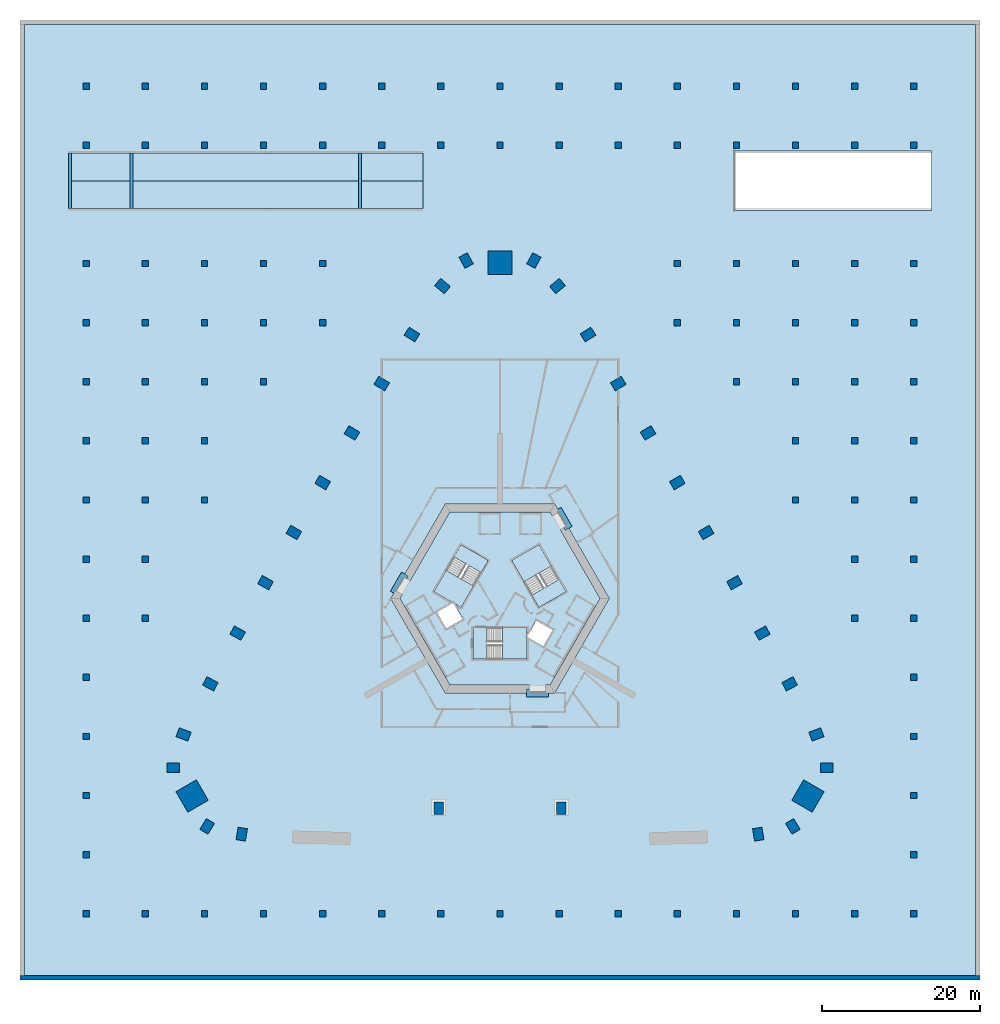
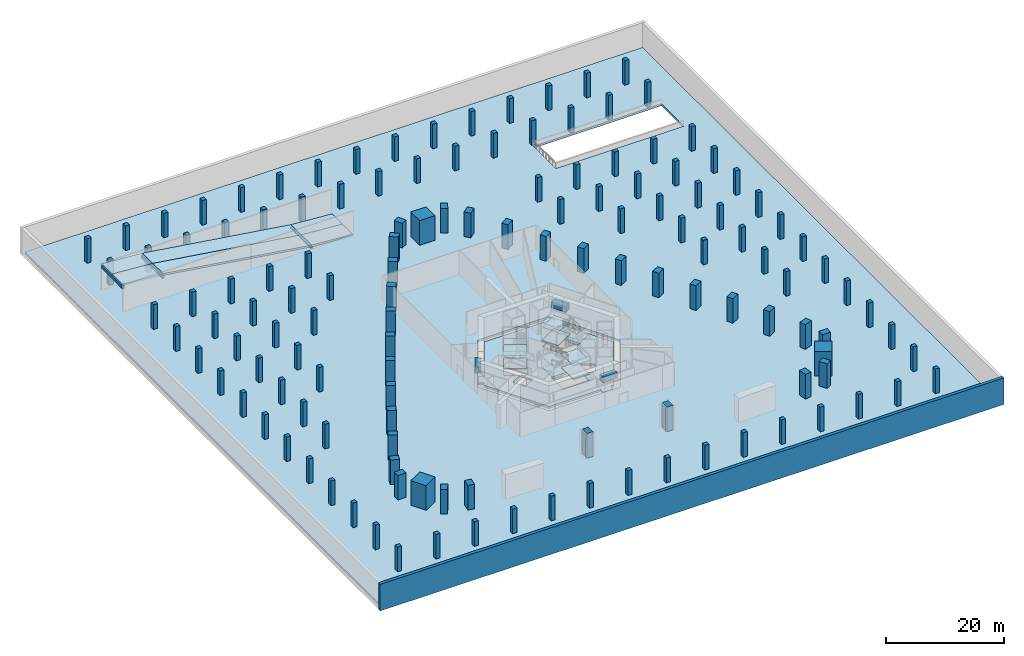
# One storey, part 1 of 12: 134 columns, 17 slabs, 6 beams, 1 wall, 3 elements without a shape of their own.
"""IFC4 building model written with IfcOpenShell, lengths in metres."""

from ifc_helpers import new_model, si_unit, direction, frame, origin, origin_2d, place, context, subcontext, project, spatial, polyline, rectangle, outline, extrude, material, layer, layer_set, material_profile, profile_set, type_object, element, aggregate, save


model = new_model("IFC4")

# Units and contexts
model_context = context("Model", 3, precision=1e-05, world=origin(), true_north=direction((0.0, 1.0)))
body_context = subcontext(model_context, "Body", "Model", "MODEL_VIEW")
ifc_project = project(units=[si_unit("LENGTHUNIT", "METRE"), si_unit("AREAUNIT", "SQUARE_METRE"), si_unit("VOLUMEUNIT", "CUBIC_METRE"), si_unit("PLANEANGLEUNIT", "RADIAN"), si_unit("MASSUNIT", "GRAM", prefix="KILO")], contexts=[model_context])

# Site, building, storey
site_placement = place(None, origin())
site = spatial("IfcSite", under=ifc_project, at=site_placement, CompositionType="ELEMENT")
building_placement = place(site_placement, origin())
building = spatial("IfcBuilding", under=site, at=building_placement, Name="Entoto Arch Interchange Tower", CompositionType="ELEMENT")
storey_placement = place(building_placement, frame((0.0, 0.0, -11.0)))
storey = spatial("IfcBuildingStorey", under=building, at=storey_placement, Name="B2", CompositionType="ELEMENT", Elevation=-11.0)

# Columns
ifc_material_1 = material(Name="Concrete C60/75", Category="concrete")
ifc_material_profile_1 = material_profile(ifc_material_1, rectangle(XDim=1.199951171875, YDim=1.60009765625, at=origin_2d()))
ifc_profile_set_1 = profile_set([ifc_material_profile_1], Name="Concrete C60/75")
column_type_1 = type_object("IfcColumnType", Name="Column RC 1200x1600 C60/75", PredefinedType="COLUMN", material=ifc_profile_set_1)
for number, where, z_axis, x_axis, name in (
    (1, (-32.760986328125, -27.39697265625, -0.419921875), (0.0, 0.0, 1.0), (-0.98600476771, 0.166717119856, 0.0), "Column S01 B2"),
    (2, (32.760986328125, -27.39697265625, -0.419921875), (0.0, 0.0, 1.0), (0.98600476771, 0.166717119856, 0.0), "Column S06 B2"),
    (3, (37.152099609375, -26.410888671875, -0.419921875), (0.0, 0.0, 1.0), (0.854522294989, 0.519414716163, 0.0), "Column SE1 B2"),
    (4, (41.447998046875, -18.968994140625, -0.419921875), (0.0, 0.0, 1.0), (0.022565191802, 0.999745373642, 0.0), "Column SE3 B2"),
    (5, (40.14697265625, -14.7509765625, -0.419921875), (0.0, 0.0, 1.0), (-0.348277574304, 0.937391450375, 0.0), "Column NE01 B2"),
    (6, (36.7529296875, -8.324951171875, -0.419921875), (0.0, 0.0, 1.0), (-0.46931745221, 0.883029517656, 0.0), "Column NE02 B2"),
    (7, (33.282958984375, -1.888916015625, -0.419921875), (0.0, 0.0, 1.0), (-0.478140110514, 0.878283573066, 0.0), "Column NE03 B2"),
    (8, (29.75, 4.511962890625, -0.419921875), (0.0, 0.0, 1.0), (-0.486914781103, 0.873449481048, 0.0), "Column NE04 B2"),
    (9, (26.155029296875, 10.8798828125, -0.419921875), (0.0, 0.0, 1.0), (-0.495655741916, 0.868519076074, 0.0), "Column NE05 B2"),
    (10, (22.5, 17.2109375, -0.419921875), (0.0, 0.0, 1.0), (-0.504331712594, 0.863510002068, 0.0), "Column NE06 B2"),
    (11, (18.781982421875, 23.508056640625, -0.419921875), (0.0, 0.0, 1.0), (-0.512972048958, 0.858405310438, 0.0), "Column NE07 B2"),
    (12, (15.0048828125, 29.76904296875, -0.419921875), (0.0, 0.0, 1.0), (-0.521545830745, 0.853223268806, 0.0), "Column NE08 B2"),
    (13, (11.1669921875, 35.992919921875, -0.419921875), (0.0, 0.0, 1.0), (-0.530067268476, 0.847955594881, 0.0), "Column NE09 B2"),
    (14, (7.299072265625, 42.14404296875, -0.419921875), (0.0, 0.0, 1.0), (-0.637666022163, 0.770312952103, 0.0), "Column NE10 B2"),
    (15, (4.297119140625, 45.3798828125, -0.419921875), (0.0, 0.0, 1.0), (-0.877079103306, 0.48034596547, 0.0), "Column N1 B2"),
    (16, (-4.297119140625, 45.3798828125, -0.419921875), (0.0, 0.0, 1.0), (0.877079103306, 0.48034596547, 0.0), "Column N3 B2"),
    (17, (-7.299072265625, 42.14404296875, -0.419921875), (0.0, 0.0, 1.0), (0.637666022163, 0.770312952103, 0.0), "Column NW01 B2"),
    (18, (-11.1669921875, 35.992919921875, -0.419921875), (0.0, 0.0, 1.0), (0.530067268476, 0.847955594881, 0.0), "Column NW02 B2"),
    (19, (-15.0048828125, 29.76904296875, -0.419921875), (0.0, 0.0, 1.0), (0.521545830745, 0.853223268806, 0.0), "Column NW03 B2"),
    (20, (-18.781982421875, 23.508056640625, -0.419921875), (0.0, 0.0, 1.0), (0.512972048958, 0.858405310438, 0.0), "Column NW04 B2"),
    (21, (-22.5, 17.2109375, -0.419921875), (0.0, 0.0, 1.0), (0.504331712594, 0.863510002068, 0.0), "Column NW05 B2"),
    (22, (-26.155029296875, 10.8798828125, -0.419921875), (0.0, 0.0, 1.0), (0.495655741916, 0.868519076074, 0.0), "Column NW06 B2"),
    (23, (-29.75, 4.511962890625, -0.419921875), (0.0, 0.0, 1.0), (0.486914781103, 0.873449481048, 0.0), "Column NW07 B2"),
    (24, (-33.282958984375, -1.888916015625, -0.419921875), (0.0, 0.0, 1.0), (0.478140110514, 0.878283573066, 0.0), "Column NW08 B2"),
    (25, (-36.7529296875, -8.324951171875, -0.419921875), (0.0, 0.0, 1.0), (0.46931745221, 0.883029517656, 0.0), "Column NW09 B2"),
    (26, (-40.14697265625, -14.7509765625, -0.419921875), (0.0, 0.0, 1.0), (0.348277574304, 0.937391450375, 0.0), "Column NW10 B2"),
    (27, (-41.447998046875, -18.968994140625, -0.419921875), (0.0, 0.0, 1.0), (-0.022565191802, 0.999745373642, 0.0), "Column SW1 B2"),
    (28, (-37.152099609375, -26.410888671875, -0.419921875), (0.0, 0.0, 1.0), (-0.854522294989, 0.519414716163, 0.0), "Column SW3 B2"),
    (29, (-7.800048828125, -24.10009765625, -0.419921875), (0.0, 0.0, 1.0), (1.0, 0.0, 0.0), "Column ARC-W B2"),
    (30, (7.800048828125, -24.10009765625, -0.419921875), (0.0, 0.0, 1.0), (1.0, 0.0, 0.0), "Column ARC-E B2"),
):
    element("IfcColumn", number, at=place(storey_placement, frame(where, z_axis=z_axis, x_axis=x_axis)), inside=storey, type_object=column_type_1, Name=name, PredefinedType="COLUMN", context=body_context, shape_type="SweptSolid", body=[
        extrude(rectangle(XDim=1.199951171875, YDim=1.60009765625, at=origin_2d()), origin(), (0.0, 0.0, 1.0), 5.5),
    ])
ifc_material_2 = material(Name="Concrete C40/50", Category="concrete")
ifc_material_profile_2 = material_profile(ifc_material_2, rectangle(XDim=0.800048828125, YDim=0.800048828125, at=origin_2d()))
ifc_profile_set_2 = profile_set([ifc_material_profile_2], Name="Concrete C40/50")
column_type_2 = type_object("IfcColumnType", Name="Column RC 800x800 C40/50", PredefinedType="COLUMN", material=ifc_profile_set_2)
for number, where, z_axis, x_axis, name in (
    (31, (-52.5, -37.5, -0.419921875), (0.0, 0.0, 1.0), (1.0, 0.0, 0.0), "Grid column -52.5 -37.5 B2"),
    (32, (-52.5, -30.0, -0.419921875), (0.0, 0.0, 1.0), (1.0, 0.0, 0.0), "Grid column -52.5 -30.0 B2"),
    (33, (-52.5, -22.5, -0.419921875), (0.0, 0.0, 1.0), (1.0, 0.0, 0.0), "Grid column -52.5 -22.5 B2"),
    (34, (-52.5, -15.0, -0.419921875), (0.0, 0.0, 1.0), (1.0, 0.0, 0.0), "Grid column -52.5 -15.0 B2"),
    (35, (-52.5, -7.5, -0.419921875), (0.0, 0.0, 1.0), (1.0, 0.0, 0.0), "Grid column -52.5 -7.5 B2"),
    (36, (-52.5, 0.0, -0.419921875), (0.0, 0.0, 1.0), (1.0, 0.0, 0.0), "Grid column -52.5 +0.0 B2"),
    (37, (-52.5, 7.5, -0.419921875), (0.0, 0.0, 1.0), (1.0, 0.0, 0.0), "Grid column -52.5 +7.5 B2"),
    (38, (-52.5, 15.0, -0.419921875), (0.0, 0.0, 1.0), (1.0, 0.0, 0.0), "Grid column -52.5 +15.0 B2"),
    (39, (-52.5, 22.5, -0.419921875), (0.0, 0.0, 1.0), (1.0, 0.0, 0.0), "Grid column -52.5 +22.5 B2"),
    (40, (-52.5, 30.0, -0.419921875), (0.0, 0.0, 1.0), (1.0, 0.0, 0.0), "Grid column -52.5 +30.0 B2"),
    (41, (-52.5, 37.5, -0.419921875), (0.0, 0.0, 1.0), (1.0, 0.0, 0.0), "Grid column -52.5 +37.5 B2"),
    (42, (-52.5, 45.0, -0.419921875), (0.0, 0.0, 1.0), (1.0, 0.0, 0.0), "Grid column -52.5 +45.0 B2"),
    (43, (-52.5, 60.0, -0.419921875), (0.0, 0.0, 1.0), (1.0, 0.0, 0.0), "Grid column -52.5 +60.0 B2"),
    (44, (-52.5, 67.5, -0.419921875), (0.0, 0.0, 1.0), (1.0, 0.0, 0.0), "Grid column -52.5 +67.5 B2"),
    (45, (-45.0, -37.5, -0.419921875), (0.0, 0.0, 1.0), (1.0, 0.0, 0.0), "Grid column -45.0 -37.5 B2"),
    (46, (-45.0, 0.0, -0.419921875), (0.0, 0.0, 1.0), (1.0, 0.0, 0.0), "Grid column -45.0 +0.0 B2"),
    (47, (-45.0, 7.5, -0.419921875), (0.0, 0.0, 1.0), (1.0, 0.0, 0.0), "Grid column -45.0 +7.5 B2"),
    (48, (-45.0, 15.0, -0.419921875), (0.0, 0.0, 1.0), (1.0, 0.0, 0.0), "Grid column -45.0 +15.0 B2"),
    (49, (-45.0, 22.5, -0.419921875), (0.0, 0.0, 1.0), (1.0, 0.0, 0.0), "Grid column -45.0 +22.5 B2"),
    (50, (-45.0, 30.0, -0.419921875), (0.0, 0.0, 1.0), (1.0, 0.0, 0.0), "Grid column -45.0 +30.0 B2"),
    (51, (-45.0, 37.5, -0.419921875), (0.0, 0.0, 1.0), (1.0, 0.0, 0.0), "Grid column -45.0 +37.5 B2"),
    (52, (-45.0, 45.0, -0.419921875), (0.0, 0.0, 1.0), (1.0, 0.0, 0.0), "Grid column -45.0 +45.0 B2"),
    (53, (-45.0, 60.0, -0.419921875), (0.0, 0.0, 1.0), (1.0, 0.0, 0.0), "Grid column -45.0 +60.0 B2"),
    (54, (-45.0, 67.5, -0.419921875), (0.0, 0.0, 1.0), (1.0, 0.0, 0.0), "Grid column -45.0 +67.5 B2"),
    (55, (-37.5, -37.5, -0.419921875), (0.0, 0.0, 1.0), (1.0, 0.0, 0.0), "Grid column -37.5 -37.5 B2"),
    (56, (-37.5, 15.0, -0.419921875), (0.0, 0.0, 1.0), (1.0, 0.0, 0.0), "Grid column -37.5 +15.0 B2"),
    (57, (-37.5, 22.5, -0.419921875), (0.0, 0.0, 1.0), (1.0, 0.0, 0.0), "Grid column -37.5 +22.5 B2"),
    (58, (-37.5, 30.0, -0.419921875), (0.0, 0.0, 1.0), (1.0, 0.0, 0.0), "Grid column -37.5 +30.0 B2"),
    (59, (-37.5, 37.5, -0.419921875), (0.0, 0.0, 1.0), (1.0, 0.0, 0.0), "Grid column -37.5 +37.5 B2"),
    (60, (-37.5, 45.0, -0.419921875), (0.0, 0.0, 1.0), (1.0, 0.0, 0.0), "Grid column -37.5 +45.0 B2"),
    (61, (-37.5, 60.0, -0.419921875), (0.0, 0.0, 1.0), (1.0, 0.0, 0.0), "Grid column -37.5 +60.0 B2"),
    (62, (-37.5, 67.5, -0.419921875), (0.0, 0.0, 1.0), (1.0, 0.0, 0.0), "Grid column -37.5 +67.5 B2"),
    (63, (-30.0, -37.5, -0.419921875), (0.0, 0.0, 1.0), (1.0, 0.0, 0.0), "Grid column -30.0 -37.5 B2"),
    (64, (-30.0, 30.0, -0.419921875), (0.0, 0.0, 1.0), (1.0, 0.0, 0.0), "Grid column -30.0 +30.0 B2"),
    (65, (-30.0, 37.5, -0.419921875), (0.0, 0.0, 1.0), (1.0, 0.0, 0.0), "Grid column -30.0 +37.5 B2"),
    (66, (-30.0, 45.0, -0.419921875), (0.0, 0.0, 1.0), (1.0, 0.0, 0.0), "Grid column -30.0 +45.0 B2"),
    (67, (-30.0, 60.0, -0.419921875), (0.0, 0.0, 1.0), (1.0, 0.0, 0.0), "Grid column -30.0 +60.0 B2"),
    (68, (-30.0, 67.5, -0.419921875), (0.0, 0.0, 1.0), (1.0, 0.0, 0.0), "Grid column -30.0 +67.5 B2"),
    (69, (-22.5, -37.5, -0.419921875), (0.0, 0.0, 1.0), (1.0, 0.0, 0.0), "Grid column -22.5 -37.5 B2"),
    (70, (-22.5, 37.5, -0.419921875), (0.0, 0.0, 1.0), (1.0, 0.0, 0.0), "Grid column -22.5 +37.5 B2"),
    (71, (-22.5, 45.0, -0.419921875), (0.0, 0.0, 1.0), (1.0, 0.0, 0.0), "Grid column -22.5 +45.0 B2"),
    (72, (-22.5, 60.0, -0.419921875), (0.0, 0.0, 1.0), (1.0, 0.0, 0.0), "Grid column -22.5 +60.0 B2"),
    (73, (-22.5, 67.5, -0.419921875), (0.0, 0.0, 1.0), (1.0, 0.0, 0.0), "Grid column -22.5 +67.5 B2"),
    (74, (-15.0, -37.5, -0.419921875), (0.0, 0.0, 1.0), (1.0, 0.0, 0.0), "Grid column -15.0 -37.5 B2"),
    (75, (-15.0, 60.0, -0.419921875), (0.0, 0.0, 1.0), (1.0, 0.0, 0.0), "Grid column -15.0 +60.0 B2"),
    (76, (-15.0, 67.5, -0.419921875), (0.0, 0.0, 1.0), (1.0, 0.0, 0.0), "Grid column -15.0 +67.5 B2"),
    (77, (-7.5, -37.5, -0.419921875), (0.0, 0.0, 1.0), (1.0, 0.0, 0.0), "Grid column -7.5 -37.5 B2"),
    (78, (-7.5, 60.0, -0.419921875), (0.0, 0.0, 1.0), (1.0, 0.0, 0.0), "Grid column -7.5 +60.0 B2"),
    (79, (-7.5, 67.5, -0.419921875), (0.0, 0.0, 1.0), (1.0, 0.0, 0.0), "Grid column -7.5 +67.5 B2"),
    (80, (0.0, -37.5, -0.419921875), (0.0, 0.0, 1.0), (1.0, 0.0, 0.0), "Grid column +0.0 -37.5 B2"),
    (81, (0.0, 60.0, -0.419921875), (0.0, 0.0, 1.0), (1.0, 0.0, 0.0), "Grid column +0.0 +60.0 B2"),
    (82, (0.0, 67.5, -0.419921875), (0.0, 0.0, 1.0), (1.0, 0.0, 0.0), "Grid column +0.0 +67.5 B2"),
    (83, (7.5, -37.5, -0.419921875), (0.0, 0.0, 1.0), (1.0, 0.0, 0.0), "Grid column +7.5 -37.5 B2"),
    (84, (7.5, 60.0, -0.419921875), (0.0, 0.0, 1.0), (1.0, 0.0, 0.0), "Grid column +7.5 +60.0 B2"),
    (85, (7.5, 67.5, -0.419921875), (0.0, 0.0, 1.0), (1.0, 0.0, 0.0), "Grid column +7.5 +67.5 B2"),
    (86, (15.0, -37.5, -0.419921875), (0.0, 0.0, 1.0), (1.0, 0.0, 0.0), "Grid column +15.0 -37.5 B2"),
    (87, (15.0, 60.0, -0.419921875), (0.0, 0.0, 1.0), (1.0, 0.0, 0.0), "Grid column +15.0 +60.0 B2"),
    (88, (15.0, 67.5, -0.419921875), (0.0, 0.0, 1.0), (1.0, 0.0, 0.0), "Grid column +15.0 +67.5 B2"),
    (89, (22.5, -37.5, -0.419921875), (0.0, 0.0, 1.0), (1.0, 0.0, 0.0), "Grid column +22.5 -37.5 B2"),
    (90, (22.5, 37.5, -0.419921875), (0.0, 0.0, 1.0), (1.0, 0.0, 0.0), "Grid column +22.5 +37.5 B2"),
    (91, (22.5, 45.0, -0.419921875), (0.0, 0.0, 1.0), (1.0, 0.0, 0.0), "Grid column +22.5 +45.0 B2"),
    (92, (22.5, 60.0, -0.419921875), (0.0, 0.0, 1.0), (1.0, 0.0, 0.0), "Grid column +22.5 +60.0 B2"),
    (93, (22.5, 67.5, -0.419921875), (0.0, 0.0, 1.0), (1.0, 0.0, 0.0), "Grid column +22.5 +67.5 B2"),
    (94, (30.0, -37.5, -0.419921875), (0.0, 0.0, 1.0), (1.0, 0.0, 0.0), "Grid column +30.0 -37.5 B2"),
    (95, (30.0, 30.0, -0.419921875), (0.0, 0.0, 1.0), (1.0, 0.0, 0.0), "Grid column +30.0 +30.0 B2"),
    (96, (30.0, 37.5, -0.419921875), (0.0, 0.0, 1.0), (1.0, 0.0, 0.0), "Grid column +30.0 +37.5 B2"),
    (97, (30.0, 45.0, -0.419921875), (0.0, 0.0, 1.0), (1.0, 0.0, 0.0), "Grid column +30.0 +45.0 B2"),
    (98, (30.0, 60.0, -0.419921875), (0.0, 0.0, 1.0), (1.0, 0.0, 0.0), "Grid column +30.0 +60.0 B2"),
    (99, (30.0, 67.5, -0.419921875), (0.0, 0.0, 1.0), (1.0, 0.0, 0.0), "Grid column +30.0 +67.5 B2"),
    (100, (37.5, -37.5, -0.419921875), (0.0, 0.0, 1.0), (1.0, 0.0, 0.0), "Grid column +37.5 -37.5 B2"),
    (101, (37.5, 15.0, -0.419921875), (0.0, 0.0, 1.0), (1.0, 0.0, 0.0), "Grid column +37.5 +15.0 B2"),
    (102, (37.5, 22.5, -0.419921875), (0.0, 0.0, 1.0), (1.0, 0.0, 0.0), "Grid column +37.5 +22.5 B2"),
    (103, (37.5, 30.0, -0.419921875), (0.0, 0.0, 1.0), (1.0, 0.0, 0.0), "Grid column +37.5 +30.0 B2"),
    (104, (37.5, 37.5, -0.419921875), (0.0, 0.0, 1.0), (1.0, 0.0, 0.0), "Grid column +37.5 +37.5 B2"),
    (105, (37.5, 45.0, -0.419921875), (0.0, 0.0, 1.0), (1.0, 0.0, 0.0), "Grid column +37.5 +45.0 B2"),
    (106, (37.5, 60.0, -0.419921875), (0.0, 0.0, 1.0), (1.0, 0.0, 0.0), "Grid column +37.5 +60.0 B2"),
    (107, (37.5, 67.5, -0.419921875), (0.0, 0.0, 1.0), (1.0, 0.0, 0.0), "Grid column +37.5 +67.5 B2"),
    (108, (45.0, -37.5, -0.419921875), (0.0, 0.0, 1.0), (1.0, 0.0, 0.0), "Grid column +45.0 -37.5 B2"),
    (109, (45.0, 0.0, -0.419921875), (0.0, 0.0, 1.0), (1.0, 0.0, 0.0), "Grid column +45.0 +0.0 B2"),
    (110, (45.0, 7.5, -0.419921875), (0.0, 0.0, 1.0), (1.0, 0.0, 0.0), "Grid column +45.0 +7.5 B2"),
    (111, (45.0, 15.0, -0.419921875), (0.0, 0.0, 1.0), (1.0, 0.0, 0.0), "Grid column +45.0 +15.0 B2"),
    (112, (45.0, 22.5, -0.419921875), (0.0, 0.0, 1.0), (1.0, 0.0, 0.0), "Grid column +45.0 +22.5 B2"),
    (113, (45.0, 30.0, -0.419921875), (0.0, 0.0, 1.0), (1.0, 0.0, 0.0), "Grid column +45.0 +30.0 B2"),
    (114, (45.0, 37.5, -0.419921875), (0.0, 0.0, 1.0), (1.0, 0.0, 0.0), "Grid column +45.0 +37.5 B2"),
    (115, (45.0, 45.0, -0.419921875), (0.0, 0.0, 1.0), (1.0, 0.0, 0.0), "Grid column +45.0 +45.0 B2"),
    (116, (45.0, 60.0, -0.419921875), (0.0, 0.0, 1.0), (1.0, 0.0, 0.0), "Grid column +45.0 +60.0 B2"),
    (117, (45.0, 67.5, -0.419921875), (0.0, 0.0, 1.0), (1.0, 0.0, 0.0), "Grid column +45.0 +67.5 B2"),
    (118, (52.5, -37.5, -0.419921875), (0.0, 0.0, 1.0), (1.0, 0.0, 0.0), "Grid column +52.5 -37.5 B2"),
    (119, (52.5, -30.0, -0.419921875), (0.0, 0.0, 1.0), (1.0, 0.0, 0.0), "Grid column +52.5 -30.0 B2"),
    (120, (52.5, -22.5, -0.419921875), (0.0, 0.0, 1.0), (1.0, 0.0, 0.0), "Grid column +52.5 -22.5 B2"),
    (121, (52.5, -15.0, -0.419921875), (0.0, 0.0, 1.0), (1.0, 0.0, 0.0), "Grid column +52.5 -15.0 B2"),
    (122, (52.5, -7.5, -0.419921875), (0.0, 0.0, 1.0), (1.0, 0.0, 0.0), "Grid column +52.5 -7.5 B2"),
    (123, (52.5, 0.0, -0.419921875), (0.0, 0.0, 1.0), (1.0, 0.0, 0.0), "Grid column +52.5 +0.0 B2"),
    (124, (52.5, 7.5, -0.419921875), (0.0, 0.0, 1.0), (1.0, 0.0, 0.0), "Grid column +52.5 +7.5 B2"),
    (125, (52.5, 15.0, -0.419921875), (0.0, 0.0, 1.0), (1.0, 0.0, 0.0), "Grid column +52.5 +15.0 B2"),
    (126, (52.5, 22.5, -0.419921875), (0.0, 0.0, 1.0), (1.0, 0.0, 0.0), "Grid column +52.5 +22.5 B2"),
    (127, (52.5, 30.0, -0.419921875), (0.0, 0.0, 1.0), (1.0, 0.0, 0.0), "Grid column +52.5 +30.0 B2"),
    (128, (52.5, 37.5, -0.419921875), (0.0, 0.0, 1.0), (1.0, 0.0, 0.0), "Grid column +52.5 +37.5 B2"),
    (129, (52.5, 45.0, -0.419921875), (0.0, 0.0, 1.0), (1.0, 0.0, 0.0), "Grid column +52.5 +45.0 B2"),
    (130, (52.5, 60.0, -0.419921875), (0.0, 0.0, 1.0), (1.0, 0.0, 0.0), "Grid column +52.5 +60.0 B2"),
    (131, (52.5, 67.5, -0.419921875), (0.0, 0.0, 1.0), (1.0, 0.0, 0.0), "Grid column +52.5 +67.5 B2"),
):
    element("IfcColumn", number, at=place(storey_placement, frame(where, z_axis=z_axis, x_axis=x_axis)), inside=storey, type_object=column_type_2, Name=name, PredefinedType="COLUMN", context=body_context, shape_type="SweptSolid", body=[
        extrude(rectangle(XDim=0.800048828125, YDim=0.800048828125, at=origin_2d()), origin(), (0.0, 0.0, 1.0), 5.5),
    ])
ifc_material_profile_3 = material_profile(ifc_material_1, rectangle(XDim=3.0, YDim=3.0, at=origin_2d()))
ifc_profile_set_3 = profile_set([ifc_material_profile_3], Name="Concrete C60/75")
column_type_3 = type_object("IfcColumnType", Name="Mega column RC 3000x3000 C60/75", PredefinedType="COLUMN", material=ifc_profile_set_3)
for number, where, z_axis, x_axis, name in (
    (132, (39.069091796875, -22.555908203125, -0.419921875), (0.0, 0.0, 1.0), (-0.866025403784, 0.5, 0.0), "Corner mega column SE2 B2"),
    (133, (0.0, 45.112060546875, -0.419921875), (0.0, 0.0, 1.0), (0.0, 1.0, 0.0), "Corner mega column N2 B2"),
    (134, (-39.069091796875, -22.555908203125, -0.419921875), (0.0, 0.0, 1.0), (0.866025403784, 0.5, 0.0), "Corner mega column SW2 B2"),
):
    element("IfcColumn", number, at=place(storey_placement, frame(where, z_axis=z_axis, x_axis=x_axis)), inside=storey, type_object=column_type_3, Name=name, PredefinedType="COLUMN", context=body_context, shape_type="SweptSolid", body=[
        extrude(rectangle(XDim=3.0, YDim=3.0, at=origin_2d()), origin(), (0.0, 0.0, 1.0), 5.5),
    ])

# Beams
ifc_material_profile_4 = material_profile(ifc_material_2, rectangle(XDim=0.39990234375, YDim=0.2890625, at=origin_2d()))
ifc_profile_set_4 = profile_set([ifc_material_profile_4], Name="Concrete C40/50")
beam_type_1 = type_object("IfcBeamType", Name="Car ramp transverse beam RC 400x289 C40/50", PredefinedType="BEAM", material=ifc_profile_set_4)
beam_1_placement = place(storey_placement, frame((-17.75, 52.0, 0.14501953125), z_axis=(0.0, 1.0, 0.0), x_axis=(-1.0, 0.0, 0.0)))
element("IfcBeam", 135, at=beam_1_placement, inside=storey, type_object=beam_type_1, Name="Car ramp R2 transverse beam junction 2", PredefinedType="BEAM", context=body_context, shape_type="SweptSolid", body=[
    extrude(rectangle(XDim=0.39990234375, YDim=0.2890625, at=origin_2d()), origin(), (0.0, 0.0, 1.0), 7.0),
])
ifc_material_profile_5 = material_profile(ifc_material_2, rectangle(XDim=0.39990234375, YDim=0.60009765625, at=origin_2d()))
ifc_profile_set_5 = profile_set([ifc_material_profile_5], Name="Concrete C40/50")
beam_type_2 = type_object("IfcBeamType", Name="Car ramp transverse beam RC 400x600 C40/50", PredefinedType="BEAM", material=ifc_profile_set_5)
for number, where, z_axis, x_axis, name in (
    (136, (-54.550048828125, 52.0, 4.85009765625), (0.0, 1.0, 0.0), (-1.0, 0.0, 0.0), "Car ramp R2 transverse beam top"),
    (137, (-46.75, 52.0, 4.260986328125), (0.0, 1.0, 0.0), (-1.0, 0.0, 0.0), "Car ramp R2 transverse beam junction 1"),
):
    element("IfcBeam", number, at=place(storey_placement, frame(where, z_axis=z_axis, x_axis=x_axis)), inside=storey, type_object=beam_type_2, Name=name, PredefinedType="BEAM", context=body_context, shape_type="SweptSolid", body=[
        extrude(rectangle(XDim=0.39990234375, YDim=0.60009765625, at=origin_2d()), origin(), (0.0, 0.0, 1.0), 7.0),
    ])
ifc_material_profile_6 = material_profile(ifc_material_1, rectangle(XDim=1.0, YDim=1.199951171875, at=origin_2d()))
ifc_profile_set_6 = profile_set([ifc_material_profile_6], Name="Concrete C60/75")
beam_type_3 = type_object("IfcBeamType", Name="Coupling beam RC 1000x1200 C60/75", PredefinedType="BEAM", material=ifc_profile_set_6)
for number, where, z_axis, x_axis, name in (
    (138, (8.717041015625, 11.402099609375, 3.0), (-0.500200581029, 0.865909567298, 0.0), (-0.865909567298, -0.500200581029, 0.0), "Coupling beam NE B2"),
    (139, (-12.06689453125, 5.597900390625, 3.0), (-0.500200581029, -0.865909567298, 0.0), (0.865909567298, -0.500200581029, 0.0), "Coupling beam NW B2"),
):
    element("IfcBeam", number, at=place(storey_placement, frame(where, z_axis=z_axis, x_axis=x_axis)), inside=storey, type_object=beam_type_3, Name=name, PredefinedType="BEAM", context=body_context, shape_type="SweptSolid", body=[
        extrude(rectangle(XDim=1.0, YDim=1.199951171875, at=origin_2d()), origin(), (0.0, 0.0, 1.0), 2.799072265625),
    ])
beam_2_placement = place(storey_placement, frame((3.35009765625, -9.5, 3.0), z_axis=(1.0, 0.0, 0.0), x_axis=(0.0, 1.0, 0.0)))
element("IfcBeam", 140, at=beam_2_placement, inside=storey, type_object=beam_type_3, Name="Coupling beam S B2", PredefinedType="BEAM", context=body_context, shape_type="SweptSolid", body=[
    extrude(rectangle(XDim=1.0, YDim=1.199951171875, at=origin_2d()), origin(), (0.0, 0.0, 1.0), 2.7998046875),
])

# Slab
ifc_layer_1 = layer(ifc_material_2, 0.419921875)
ifc_layer_set_1 = layer_set([ifc_layer_1], Name="Concrete C40/50")
slab_type_1 = type_object("IfcSlabType", Name="Core floor slab 420 C40/50", PredefinedType="FLOOR", material=ifc_layer_set_1)
slab_1_placement = place(storey_placement, frame((0.0, 0.0, -0.419921875)))
element("IfcSlab", 141, at=slab_1_placement, inside=storey, type_object=slab_type_1, Name="Core floor slab B2", PredefinedType="FLOOR", context=body_context, shape_type="SweptSolid", body=[
    extrude(outline(polyline([(5.75, -9.5), (3.75, -9.5), (3.75, -8.5), (-6.35107421875, -8.5), (-12.701904296875, 2.5), (-12.402099609375, 3.02001953125), (-13.26708984375, 3.52001953125), (-12.26708984375, 5.251953125), (-11.402099609375, 4.751953125), (-6.35107421875, 13.5), (6.35107421875, 13.5), (6.65087890625, 12.97998046875), (7.51708984375, 13.47998046875), (8.51708984375, 11.748046875), (7.65087890625, 11.248046875), (12.701904296875, 2.5), (6.35107421875, -8.5), (5.75, -8.5), (5.75, -9.5)]), holes=[polyline([(5.5048828125, -3.56494140625), (6.705078125, -1.487060546875), (4.626953125, -0.287109375), (3.449951171875, -2.324951171875), (3.449951171875, -1.199951171875), (-1.64990234375, -1.199951171875), (-1.64990234375, -5.199951171875), (3.449951171875, -5.199951171875), (3.449951171875, -2.3779296875), (5.5048828125, -3.56494140625)]), polyline([(-4.928955078125, 1.362060546875), (-2.37890625, 5.779052734375), (-5.843017578125, 7.779052734375), (-8.39306640625, 3.362060546875), (-5.949951171875, 1.951904296875), (-8.0048828125, 0.764892578125), (-6.804931640625, -1.31298828125), (-4.72705078125, -0.113037109375), (-5.904052734375, 1.925048828125), (-4.928955078125, 1.362060546875)]), polyline([(7.492919921875, 4.9208984375), (4.943115234375, 9.337890625), (1.47900390625, 7.337890625), (4.029052734375, 2.9208984375), (7.492919921875, 4.9208984375)])]), origin(), (0.0, 0.0, 1.0), 0.419921875),
])

# Stair, slabs
stair_type = type_object("IfcStairType", Name="EXIT STAIR RC 1800", PredefinedType="HALF_TURN_STAIR", material=ifc_material_2)
stair_1_placement = place(storey_placement, origin())
stair_1 = element("IfcStair", 142, at=stair_1_placement, inside=storey, type_object=stair_type, Name="B2 Exit stair S", PredefinedType="HALF_TURN_STAIR")
ifc_layer_2 = layer(ifc_material_2, 0.199951171875)
ifc_layer_set_2 = layer_set([ifc_layer_2], Name="Concrete C40/50")
slab_type_2 = type_object("IfcSlabType", Name="EXIT STAIR LANDING RC 200", PredefinedType="LANDING", material=ifc_layer_set_2)
slab_2_placement = place(storey_placement, frame((0.0, 0.0, 1.175048828125)))
slab_2 = element("IfcSlab", 143, at=slab_2_placement, type_object=slab_type_2, Name="ST-S landing 1", PredefinedType="LANDING", context=body_context, shape_type="SweptSolid", body=[
    extrude(outline(polyline([(0.31005859375, -5.199951171875), (3.449951171875, -5.199951171875), (3.449951171875, -1.199951171875), (0.31005859375, -1.199951171875), (0.31005859375, -5.199951171875)])), origin(), (0.0, 0.0, 1.0), 0.199951171875),
])
slab_3_placement = place(storey_placement, frame((0.0, 0.0, 2.550048828125)))
slab_3 = element("IfcSlab", 144, at=slab_3_placement, type_object=slab_type_2, Name="ST-S landing 2", PredefinedType="LANDING", context=body_context, shape_type="SweptSolid", body=[
    extrude(outline(polyline([(-3.449951171875, -5.199951171875), (-1.64990234375, -5.199951171875), (-1.64990234375, -1.199951171875), (-3.449951171875, -1.199951171875), (-3.449951171875, -5.199951171875)])), origin(), (0.0, 0.0, 1.0), 0.199951171875),
])
slab_4_placement = place(storey_placement, frame((0.0, 0.0, 3.925048828125)))
slab_4 = element("IfcSlab", 145, at=slab_4_placement, type_object=slab_type_2, Name="ST-S landing 3", PredefinedType="LANDING", context=body_context, shape_type="SweptSolid", body=[
    extrude(outline(polyline([(0.31005859375, -5.199951171875), (3.449951171875, -5.199951171875), (3.449951171875, -1.199951171875), (0.31005859375, -1.199951171875), (0.31005859375, -5.199951171875)])), origin(), (0.0, 0.0, 1.0), 0.199951171875),
])
aggregate(stair_1, [slab_2, slab_3, slab_4])

stair_2_placement = place(storey_placement, origin())
stair_2 = element("IfcStair", 146, at=stair_2_placement, inside=storey, type_object=stair_type, Name="B2 Exit stair NE", PredefinedType="HALF_TURN_STAIR")
slab_5_placement = place(storey_placement, frame((0.0, 0.0, 1.175048828125)))
slab_5 = element("IfcSlab", 147, at=slab_5_placement, type_object=slab_type_2, Name="ST-NE landing 1", PredefinedType="LANDING", context=body_context, shape_type="SweptSolid", body=[
    extrude(outline(polyline([(6.513427734375, 6.618408203125), (4.943359375, 9.337890625), (1.479248046875, 7.337890625), (3.04931640625, 4.618408203125), (6.513427734375, 6.618408203125)])), origin(), (0.0, 0.0, 1.0), 0.199951171875),
])
slab_6_placement = place(storey_placement, frame((0.0, 0.0, 2.550048828125)))
slab_6 = element("IfcSlab", 148, at=slab_6_placement, type_object=slab_type_2, Name="ST-NE landing 2", PredefinedType="LANDING", context=body_context, shape_type="SweptSolid", body=[
    extrude(outline(polyline([(8.393310546875, 3.3623046875), (7.493408203125, 4.921142578125), (4.029296875, 2.921142578125), (4.92919921875, 1.3623046875), (8.393310546875, 3.3623046875)])), origin(), (0.0, 0.0, 1.0), 0.199951171875),
])
slab_7_placement = place(storey_placement, frame((0.0, 0.0, 3.925048828125)))
slab_7 = element("IfcSlab", 149, at=slab_7_placement, type_object=slab_type_2, Name="ST-NE landing 3", PredefinedType="LANDING", context=body_context, shape_type="SweptSolid", body=[
    extrude(outline(polyline([(6.513427734375, 6.618408203125), (4.943359375, 9.337890625), (1.479248046875, 7.337890625), (3.04931640625, 4.618408203125), (6.513427734375, 6.618408203125)])), origin(), (0.0, 0.0, 1.0), 0.199951171875),
])
aggregate(stair_2, [slab_5, slab_6, slab_7])

stair_3_placement = place(storey_placement, origin())
stair_3 = element("IfcStair", 150, at=stair_3_placement, inside=storey, type_object=stair_type, Name="B2 Exit stair NW", PredefinedType="HALF_TURN_STAIR")
slab_8_placement = place(storey_placement, frame((0.0, 0.0, 1.175048828125)))
slab_8 = element("IfcSlab", 151, at=slab_8_placement, type_object=slab_type_2, Name="ST-NW landing 1", PredefinedType="LANDING", context=body_context, shape_type="SweptSolid", body=[
    extrude(outline(polyline([(-6.823486328125, 6.08154296875), (-8.393310546875, 3.3623046875), (-4.92919921875, 1.3623046875), (-3.359375, 4.08154296875), (-6.823486328125, 6.08154296875)])), origin(), (0.0, 0.0, 1.0), 0.199951171875),
])
slab_9_placement = place(storey_placement, frame((0.0, 0.0, 2.550048828125)))
slab_9 = element("IfcSlab", 152, at=slab_9_placement, type_object=slab_type_2, Name="ST-NW landing 2", PredefinedType="LANDING", context=body_context, shape_type="SweptSolid", body=[
    extrude(outline(polyline([(-4.943359375, 9.337890625), (-5.843505859375, 7.779052734375), (-2.37939453125, 5.779052734375), (-1.479248046875, 7.337890625), (-4.943359375, 9.337890625)])), origin(), (0.0, 0.0, 1.0), 0.199951171875),
])
slab_10_placement = place(storey_placement, frame((0.0, 0.0, 3.925048828125)))
slab_10 = element("IfcSlab", 153, at=slab_10_placement, type_object=slab_type_2, Name="ST-NW landing 3", PredefinedType="LANDING", context=body_context, shape_type="SweptSolid", body=[
    extrude(outline(polyline([(-6.823486328125, 6.08154296875), (-8.393310546875, 3.3623046875), (-4.92919921875, 1.3623046875), (-3.359375, 4.08154296875), (-6.823486328125, 6.08154296875)])), origin(), (0.0, 0.0, 1.0), 0.199951171875),
])
aggregate(stair_3, [slab_8, slab_9, slab_10])

# Slabs
ifc_layer_3 = layer(ifc_material_2, 0.419921875)
ifc_layer_set_3 = layer_set([ifc_layer_3], Name="Concrete C40/50")
slab_type_3 = type_object("IfcSlabType", Name="Post-tensioned flat plate 420 C40/50", PredefinedType="FLOOR", material=ifc_layer_set_3)
slab_11_placement = place(storey_placement, frame((0.0, 0.0, -0.419921875)))
element("IfcSlab", 154, at=slab_11_placement, inside=storey, type_object=slab_type_3, Name="Floor slab B2", PredefinedType="FLOOR", context=body_context, shape_type="SweptSolid", body=[
    extrude(outline(polyline([(-60.300048828125, -45.300048828125), (60.300048828125, -45.300048828125), (60.300048828125, 75.300048828125), (-60.300048828125, 75.300048828125), (-60.300048828125, -45.300048828125)]), holes=[polyline([(-6.927978515625, 14.5), (-13.85595703125, 2.5), (-6.927978515625, -9.5), (6.927978515625, -9.5), (13.85595703125, 2.5), (6.927978515625, 14.5), (-6.927978515625, 14.5)]), polyline([(54.75, 59.300048828125), (29.75, 59.300048828125), (29.75, 51.699951171875), (54.75, 51.699951171875), (54.75, 59.300048828125)])]), origin(), (0.0, 0.0, 1.0), 0.419921875),
])
ifc_layer_4 = layer(ifc_material_2, 0.35009765625)
ifc_layer_set_4 = layer_set([ifc_layer_4], Name="Concrete C40/50")
slab_type_4 = type_object("IfcSlabType", Name="Vehicle ramp slab 350 C40/50", PredefinedType="FLOOR", material=ifc_layer_set_4)
for number, where, z_axis, x_axis, name in (
    (155, (-54.75, 52.0, 5.5), (0.0, 0.0, 1.0), (1.0, 0.0, 0.0), "Vehicle ramp slab R2 B1 to B2 flight 1 up lane"),
    (156, (-54.75, 55.5, 5.5), (0.0, 0.0, 1.0), (1.0, 0.0, 0.0), "Vehicle ramp slab R2 B1 to B2 flight 1 down lane"),
):
    element("IfcSlab", number, at=place(storey_placement, frame(where, z_axis=z_axis, x_axis=x_axis)), inside=storey, type_object=slab_type_4, Name=name, PredefinedType="FLOOR", context=body_context, shape_type="SweptSolid", body=[
        extrude(outline(polyline([(0.0, -0.35009765625), (8.0, -0.939208984375), (8.0, -0.589111328125), (0.0, 0.0), (0.0, -0.35009765625)])), frame((0.0, 3.5, 0.0), z_axis=(0.0, -1.0, 0.0), x_axis=(1.0, 0.0, 0.0)), (0.0, 0.0, 1.0), 3.5),
    ])
for number, where, z_axis, x_axis, name in (
    (157, (-46.75, 52.0, 4.910888671875), (0.0, 0.0, 1.0), (1.0, 0.0, 0.0), "Vehicle ramp slab R2 B1 to B2 flight 2 up lane"),
    (158, (-46.75, 55.5, 4.910888671875), (0.0, 0.0, 1.0), (1.0, 0.0, 0.0), "Vehicle ramp slab R2 B1 to B2 flight 2 down lane"),
):
    element("IfcSlab", number, at=place(storey_placement, frame(where, z_axis=z_axis, x_axis=x_axis)), inside=storey, type_object=slab_type_4, Name=name, PredefinedType="FLOOR", context=body_context, shape_type="SweptSolid", body=[
        extrude(outline(polyline([(0.0, -0.35009765625), (29.0, -4.62158203125), (29.0, -4.271728515625), (0.0, 0.0), (0.0, -0.35009765625)])), frame((0.0, 3.5, 0.0), z_axis=(0.0, -1.0, 0.0), x_axis=(1.0, 0.0, 0.0)), (0.0, 0.0, 1.0), 3.5),
    ])
for number, where, z_axis, x_axis, name in (
    (159, (-17.75, 52.0, 0.63916015625), (0.0, 0.0, 1.0), (1.0, 0.0, 0.0), "Vehicle ramp slab R2 B1 to B2 flight 3 up lane"),
    (160, (-17.75, 55.5, 0.63916015625), (0.0, 0.0, 1.0), (1.0, 0.0, 0.0), "Vehicle ramp slab R2 B1 to B2 flight 3 down lane"),
):
    element("IfcSlab", number, at=place(storey_placement, frame(where, z_axis=z_axis, x_axis=x_axis)), inside=storey, type_object=slab_type_4, Name=name, PredefinedType="FLOOR", context=body_context, shape_type="SweptSolid", body=[
        extrude(outline(polyline([(0.0, -0.349853515625), (3.926513671875, -0.63916015625), (8.0, -0.63916015625), (8.0, -0.589111328125), (0.0, 0.0), (0.0, -0.349853515625)])), frame((0.0, 3.5, 0.0), z_axis=(0.0, -1.0, 0.0), x_axis=(1.0, 0.0, 0.0)), (0.0, 0.0, 1.0), 3.5),
    ])

# Wall
ifc_layer_5 = layer(ifc_material_2, 0.60009765625)
ifc_layer_set_5 = layer_set([ifc_layer_5], Name="Concrete C40/50")
wall_type = type_object("IfcWallType", Name="Basement retaining wall 600 C40/50", PredefinedType="SOLIDWALL", material=ifc_layer_set_5)
wall_placement = place(storey_placement, frame((0.0, 0.0, -0.419921875)))
element("IfcWall", 161, at=wall_placement, inside=storey, type_object=wall_type, Name="Retaining wall B2", PredefinedType="SOLIDWALL", context=body_context, shape_type="SweptSolid", body=[
    extrude(outline(polyline([(60.89990234375, -45.89990234375), (60.89990234375, -45.300048828125), (-60.89990234375, -45.300048828125), (-60.89990234375, -45.89990234375), (60.89990234375, -45.89990234375)])), origin(), (0.0, 0.0, 1.0), 5.5),
])

save(model, "model.ifc")
